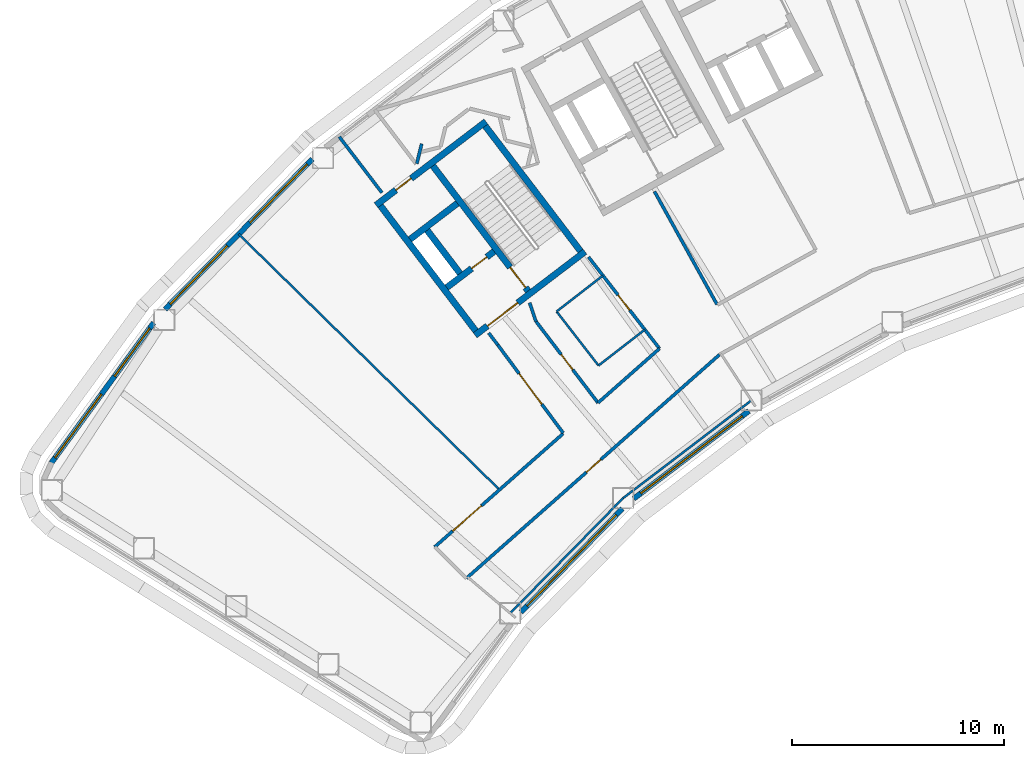
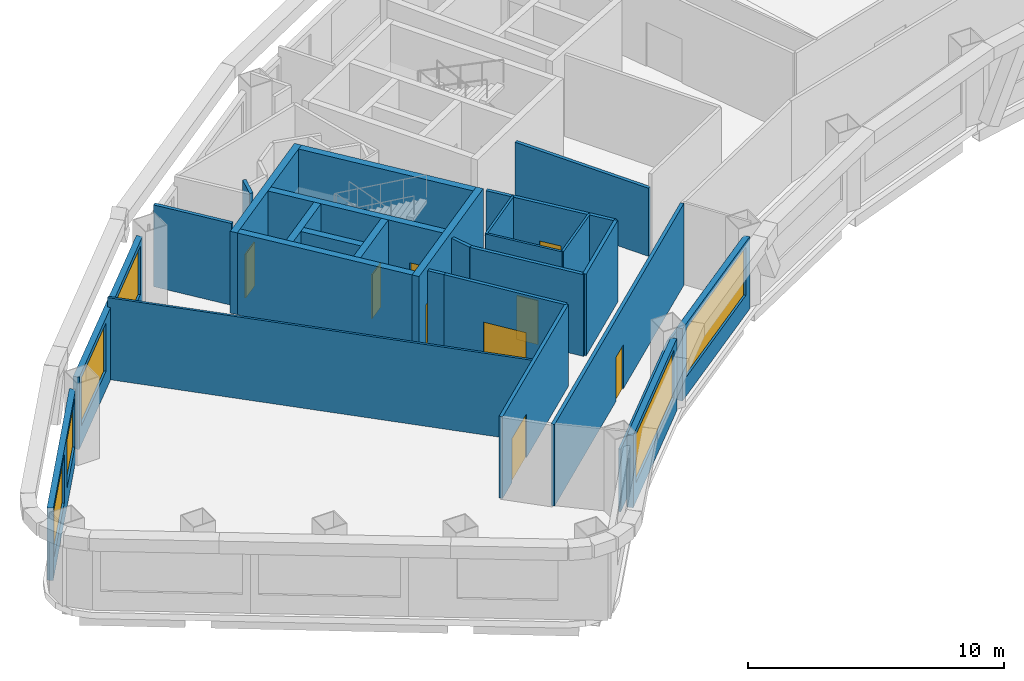
# One storey, part 3 of 11: 29 walls, 9 doors, 6 windows, 15 openings.
"""IFC4 building model written with IfcOpenShell, lengths in metres."""

from ifc_helpers import new_model, si_unit, direction, frame, frame_2d, origin, place, context, subcontext, project, spatial, rectangle, extrude, material, layer, layer_set, type_object, element, fill, save


model = new_model("IFC4")

# Units and contexts
model_context = context("Model", 3, precision=1e-05, world=origin(), true_north=direction((0.0, 1.0)))
body_context = subcontext(model_context, "Body", "Model", "MODEL_VIEW")
ifc_project = project(units=[si_unit("LENGTHUNIT", "METRE"), si_unit("AREAUNIT", "SQUARE_METRE"), si_unit("VOLUMEUNIT", "CUBIC_METRE"), si_unit("PLANEANGLEUNIT", "RADIAN"), si_unit("MASSUNIT", "GRAM", prefix="KILO")], contexts=[model_context])

# Site, building, storey
site_placement = place(None, origin())
site = spatial("IfcSite", under=ifc_project, at=site_placement, CompositionType="ELEMENT")
building_placement = place(site_placement, origin())
building = spatial("IfcBuilding", under=site, at=building_placement, Name="Tuul Gate Civic Tower", CompositionType="ELEMENT")
storey_placement = place(building_placement, frame((0.0, 0.0, 159.199951171875)))
storey = spatial("IfcBuildingStorey", under=building, at=storey_placement, Name="Level 36", CompositionType="ELEMENT", Elevation=159.199951171875)

# Wall, opening, door
ifc_material_1 = material(Name="Concrete C50/60", Category="concrete")
ifc_layer_1 = layer(ifc_material_1, 0.300048828125)
ifc_layer_set_1 = layer_set([ifc_layer_1], Name="Concrete C50/60")
wall_type_1 = type_object("IfcWallType", Name="Core wall C50/60", PredefinedType="SHEAR", material=ifc_layer_set_1)
wall_1_placement = place(storey_placement, frame((-31.19091796875, -13.669677734375, 0.0), z_axis=(0.0, 0.0, 1.0), x_axis=(-0.795606717756, -0.605813461934, 0.0)))
wall_1 = element("IfcWall", 1, at=wall_1_placement, inside=storey, type_object=wall_type_1, Name="Core wall", PredefinedType="SHEAR", context=body_context, shape_type="SweptSolid", body=[
    extrude(rectangle(XDim=6.5, YDim=0.300048828125, at=frame_2d((3.25, 0.0))), origin(), (0.0, 0.0, 1.0), 3.900146484375),
])
opening_1_placement = place(wall_1_placement, frame((3.97509765625, 0.0, 0.0)))
opening_1 = element("IfcOpeningElement", 2, at=opening_1_placement, cuts=wall_1, Name="Opening LB-W1-LOBBY-1", PredefinedType="OPENING", context=body_context, shape_type="SweptSolid", body=[
    extrude(rectangle(XDim=1.800048828125, YDim=2.10009765625, at=frame_2d((0.89990234375, 1.050048828125))), frame((0.0, 0.16015625, 0.0), z_axis=(0.0, -1.0, 0.0), x_axis=(1.0, 0.0, 0.0)), (0.0, 0.0, 1.0), 0.320068359375),
])
ifc_material_2 = material(Name="Steel", Category="steel")
door_type_1 = type_object("IfcDoorType", Name="Lobby door", OperationType="DOUBLE_DOOR_SINGLE_SWING", PredefinedType="DOOR", material=ifc_material_2)
door_1_placement = place(opening_1_placement, origin())
door_1 = element("IfcDoor", 3, at=door_1_placement, inside=storey, type_object=door_type_1, Name="Lobby door W1-LOBBY", OperationType="DOUBLE_DOOR_SINGLE_SWING", OverallHeight=2.10009765625, OverallWidth=1.800048828125, PredefinedType="DOOR", context=body_context, shape_type="SweptSolid", body=[
    extrude(rectangle(XDim=1.800048828125, YDim=2.10009765625, at=frame_2d((0.89990234375, 1.050048828125))), frame((0.0, 0.02490234375, 0.0), z_axis=(0.0, -1.0, 0.0), x_axis=(1.0, 0.0, 0.0)), (0.0, 0.0, 1.0), 0.050048828125),
])
fill(opening_1, door_1)

wall_2_placement = place(storey_placement, frame((-35.470947265625, -13.66064453125, 0.0), z_axis=(0.0, 0.0, 1.0), x_axis=(-0.795615822227, -0.605801504968, 0.0)))
wall_2 = element("IfcWall", 4, at=wall_2_placement, inside=storey, type_object=wall_type_1, Name="Core wall", PredefinedType="SHEAR", context=body_context, shape_type="SweptSolid", body=[
    extrude(rectangle(XDim=2.800048828125, YDim=0.300048828125, at=frame_2d((1.39990234375, 0.0))), origin(), (0.0, 0.0, 1.0), 3.900146484375),
])
opening_2_placement = place(wall_2_placement, frame((0.425048828125, 0.0, 0.0)))
opening_2 = element("IfcOpeningElement", 5, at=opening_2_placement, cuts=wall_2, Name="Opening FB-W1A1", PredefinedType="OPENING", context=body_context, shape_type="SweptSolid", body=[
    extrude(rectangle(XDim=0.89990234375, YDim=2.10009765625, at=frame_2d((0.449951171875, 1.050048828125))), frame((0.0, 0.16015625, 0.0), z_axis=(0.0, -1.0, 0.0), x_axis=(1.0, 0.0, 0.0)), (0.0, 0.0, 1.0), 0.320068359375),
])
ifc_material_3 = material(Name="Steel", Category="steel")
door_type_2 = type_object("IfcDoorType", Name="Store door", OperationType="NOTDEFINED", PredefinedType="DOOR", material=ifc_material_3)
door_2_placement = place(opening_2_placement, frame((0.89990234375, 0.0, 0.0), z_axis=(0.0, 0.0, 1.0), x_axis=(-1.0, 0.0, 0.0)))
door_2 = element("IfcDoor", 6, at=door_2_placement, inside=storey, type_object=door_type_2, Name="Store door W1A1", OperationType="SINGLE_SWING_RIGHT", OverallHeight=2.10009765625, OverallWidth=0.89990234375, PredefinedType="DOOR", context=body_context, shape_type="SweptSolid", body=[
    extrude(rectangle(XDim=0.89990234375, YDim=2.10009765625, at=frame_2d((0.449951171875, 1.050048828125))), frame((0.0, 0.02490234375, 0.0), z_axis=(0.0, -1.0, 0.0), x_axis=(1.0, 0.0, 0.0)), (0.0, 0.0, 1.0), 0.050048828125),
])
fill(opening_2, door_2)

# Wall
wall_3_placement = place(storey_placement, frame((-37.197509765625, -11.39306640625, 0.0), z_axis=(0.0, 0.0, 1.0), x_axis=(-0.795583820278, -0.605843531707, 0.0)))
element("IfcWall", 7, at=wall_3_placement, inside=storey, type_object=wall_type_1, Name="Core wall", PredefinedType="SHEAR", context=body_context, shape_type="SweptSolid", body=[
    extrude(rectangle(XDim=2.7998046875, YDim=0.300048828125, at=frame_2d((1.39990234375, 0.0))), origin(), (0.0, 0.0, 1.0), 3.900146484375),
])

# Wall, opening, door
wall_4_placement = place(storey_placement, frame((-35.855224609375, -7.543212890625, 0.0), z_axis=(0.0, 0.0, 1.0), x_axis=(-0.79563860527, -0.605771582202, 0.0)))
wall_4 = element("IfcWall", 8, at=wall_4_placement, inside=storey, type_object=wall_type_1, Name="Core wall", PredefinedType="SHEAR", context=body_context, shape_type="SweptSolid", body=[
    extrude(rectangle(XDim=6.5, YDim=0.300048828125, at=frame_2d((3.25, 0.0))), origin(), (0.0, 0.0, 1.0), 3.900146484375),
])
opening_3_placement = place(wall_4_placement, frame((4.425048828125, 0.0, 0.0)))
opening_3 = element("IfcOpeningElement", 9, at=opening_3_placement, cuts=wall_4, Name="Opening M-D18", PredefinedType="OPENING", context=body_context, shape_type="SweptSolid", body=[
    extrude(rectangle(XDim=0.89990234375, YDim=2.10009765625, at=frame_2d((0.449951171875, 1.050048828125))), frame((0.0, 0.16015625, 0.0), z_axis=(0.0, -1.0, 0.0), x_axis=(1.0, 0.0, 0.0)), (0.0, 0.0, 1.0), 0.320068359375),
])
ifc_material_4 = material(Name="Timber door leaf", Category="wood")
door_type_3 = type_object("IfcDoorType", Name="Door D09", OperationType="NOTDEFINED", PredefinedType="DOOR", material=ifc_material_4)
door_3_placement = place(opening_3_placement, origin())
door_3 = element("IfcDoor", 10, at=door_3_placement, inside=storey, type_object=door_type_3, Name="Door M-D18", OperationType="SINGLE_SWING_LEFT", OverallHeight=2.10009765625, OverallWidth=0.89990234375, PredefinedType="DOOR", context=body_context, shape_type="SweptSolid", body=[
    extrude(rectangle(XDim=0.89990234375, YDim=2.10009765625, at=frame_2d((0.449951171875, 1.050048828125))), frame((0.0, 0.02490234375, 0.0), z_axis=(0.0, -1.0, 0.0), x_axis=(1.0, 0.0, 0.0)), (0.0, 0.0, 1.0), 0.050048828125),
])
fill(opening_3, door_3)

# Wall
wall_5_placement = place(storey_placement, frame((-31.401123046875, -13.64111328125, 0.0), z_axis=(0.0, 0.0, 1.0), x_axis=(-0.605769822278, 0.795639945213, 0.0)))
element("IfcWall", 11, at=wall_5_placement, inside=storey, type_object=wall_type_1, Name="Core wall", PredefinedType="SHEAR", context=body_context, shape_type="SweptSolid", body=[
    extrude(rectangle(XDim=7.39990234375, YDim=0.300048828125, at=frame_2d((3.699951171875, 0.0))), origin(), (0.0, 0.0, 1.0), 3.900146484375),
])

# Wall, opening, door
wall_6_placement = place(storey_placement, frame((-33.867431640625, -15.51904296875, 0.0), z_axis=(0.0, 0.0, 1.0), x_axis=(-0.605769822278, 0.795639945213, 0.0)))
wall_6 = element("IfcWall", 12, at=wall_6_placement, inside=storey, type_object=wall_type_1, Name="Core wall", PredefinedType="SHEAR", context=body_context, shape_type="SweptSolid", body=[
    extrude(rectangle(XDim=7.39990234375, YDim=0.300048828125, at=frame_2d((3.699951171875, 0.0))), origin(), (0.0, 0.0, 1.0), 3.900146484375),
])
opening_4_placement = place(wall_6_placement, frame((0.199951171875, 0.0, 0.0)))
opening_4 = element("IfcOpeningElement", 13, at=opening_4_placement, cuts=wall_6, Name="Opening SD-ST-1", PredefinedType="OPENING", context=body_context, shape_type="SweptSolid", body=[
    extrude(rectangle(XDim=1.199951171875, YDim=2.10009765625, at=frame_2d((0.60009765625, 1.050048828125))), frame((0.0, 0.16015625, 0.0), z_axis=(0.0, -1.0, 0.0), x_axis=(1.0, 0.0, 0.0)), (0.0, 0.0, 1.0), 0.320068359375),
])
ifc_material_5 = material(Name="Steel", Category="steel")
door_type_4 = type_object("IfcDoorType", Name="Stair door", OperationType="NOTDEFINED", PredefinedType="DOOR", material=ifc_material_5)
door_4_placement = place(opening_4_placement, origin())
door_4 = element("IfcDoor", 14, at=door_4_placement, inside=storey, type_object=door_type_4, Name="Stair door ST-1", OperationType="SINGLE_SWING_LEFT", OverallHeight=2.10009765625, OverallWidth=1.199951171875, PredefinedType="DOOR", context=body_context, shape_type="SweptSolid", body=[
    extrude(rectangle(XDim=1.199951171875, YDim=2.10009765625, at=frame_2d((0.60009765625, 1.050048828125))), frame((0.0, 0.02490234375, 0.0), z_axis=(0.0, -1.0, 0.0), x_axis=(1.0, 0.0, 0.0)), (0.0, 0.0, 1.0), 0.050048828125),
])
fill(opening_4, door_4)

# Walls
wall_7_placement = place(storey_placement, frame((-37.073486328125, -14.6923828125, 0.0), z_axis=(0.0, 0.0, 1.0), x_axis=(-0.605728760074, 0.79567120673, 0.0)))
element("IfcWall", 15, at=wall_7_placement, inside=storey, type_object=wall_type_1, Name="Core wall", PredefinedType="SHEAR", context=body_context, shape_type="SweptSolid", body=[
    extrude(rectangle(XDim=2.550048828125, YDim=0.300048828125, at=frame_2d((1.27490234375, 0.0))), origin(), (0.0, 0.0, 1.0), 3.900146484375),
])
wall_8_placement = place(storey_placement, frame((-36.333984375, -17.397216796875, 0.0), z_axis=(0.0, 0.0, 1.0), x_axis=(-0.605753921168, 0.795652051458, 0.0)))
element("IfcWall", 16, at=wall_8_placement, inside=storey, type_object=wall_type_1, Name="Core wall", PredefinedType="SHEAR", context=body_context, shape_type="SweptSolid", body=[
    extrude(rectangle(XDim=7.400146484375, YDim=0.300048828125, at=frame_2d((3.7001953125, 0.0))), origin(), (0.0, 0.0, 1.0), 3.900146484375),
])
ifc_material_6 = material(Name="Gypsum board partition")
ifc_layer_2 = layer(ifc_material_6, 0.14990234375)
ifc_layer_set_2 = layer_set([ifc_layer_2], Name="Gypsum board partition")
wall_type_2 = type_object("IfcWallType", Name="Corridor wall P150", PredefinedType="PARTITIONING", material=ifc_layer_set_2)
wall_9_placement = place(storey_placement, frame((-39.109130859375, -9.5302734375, 0.0), z_axis=(0.0, 0.0, 1.0), x_axis=(0.239922856226, 0.970791956632, 0.0)))
element("IfcWall", 17, at=wall_9_placement, inside=storey, type_object=wall_type_2, Name="p039", PredefinedType="PARTITIONING", context=body_context, shape_type="SweptSolid", body=[
    extrude(rectangle(XDim=0.9677734375, YDim=0.14990234375, at=frame_2d((0.48388671875, 0.0))), origin(), (0.0, 0.0, 1.0), 3.900146484375),
])

# Wall, opening, door
wall_10_placement = place(storey_placement, frame((-33.495361328125, -16.95458984375, 0.0), z_axis=(0.0, 0.0, 1.0), x_axis=(0.60591037811, -0.795532911763, 0.0)))
wall_10 = element("IfcWall", 18, at=wall_10_placement, inside=storey, type_object=wall_type_2, Name="p041", PredefinedType="PARTITIONING", context=body_context, shape_type="SweptSolid", body=[
    extrude(rectangle(XDim=4.81787109375, YDim=0.14990234375, at=frame_2d((2.408935546875, 0.0))), origin(), (0.0, 0.0, 1.0), 3.900146484375),
])
opening_5_placement = place(wall_10_placement, frame((1.958984375, 0.0, 0.0)))
opening_5 = element("IfcOpeningElement", 19, at=opening_5_placement, cuts=wall_10, Name="Opening M-D17", PredefinedType="OPENING", context=body_context, shape_type="SweptSolid", body=[
    extrude(rectangle(XDim=0.89990234375, YDim=2.10009765625, at=frame_2d((0.449951171875, 1.050048828125))), frame((0.0, 0.0849609375, 0.0), z_axis=(0.0, -1.0, 0.0), x_axis=(1.0, 0.0, 0.0)), (0.0, 0.0, 1.0), 0.169921875),
])
door_5_placement = place(opening_5_placement, origin())
door_5 = element("IfcDoor", 20, at=door_5_placement, inside=storey, type_object=door_type_3, Name="Door M-D17", OperationType="SINGLE_SWING_RIGHT", OverallHeight=2.10009765625, OverallWidth=0.89990234375, PredefinedType="DOOR", context=body_context, shape_type="SweptSolid", body=[
    extrude(rectangle(XDim=0.89990234375, YDim=2.10009765625, at=frame_2d((0.449951171875, 1.050048828125))), frame((0.0, 0.02490234375, 0.0), z_axis=(0.0, -1.0, 0.0), x_axis=(1.0, 0.0, 0.0)), (0.0, 0.0, 1.0), 0.050048828125),
])
fill(opening_5, door_5)

# Walls
wall_11_placement = place(storey_placement, frame((-42.756103515625, -8.26025390625, 0.0), z_axis=(0.0, 0.0, 1.0), x_axis=(0.605756442532, -0.795650131861, 0.0)))
element("IfcWall", 21, at=wall_11_placement, inside=storey, type_object=wall_type_2, Name="p045", PredefinedType="PARTITIONING", context=body_context, shape_type="SweptSolid", body=[
    extrude(rectangle(XDim=3.309326171875, YDim=0.14990234375, at=frame_2d((1.65478515625, 0.0))), origin(), (0.0, 0.0, 1.0), 3.900146484375),
])
wall_12_placement = place(storey_placement, frame((-35.722412109375, -17.498291015625, 0.0), z_axis=(0.0, 0.0, 1.0), x_axis=(0.60571821205, -0.795679236622, 0.0)))
element("IfcWall", 22, at=wall_12_placement, inside=storey, type_object=wall_type_2, Name="p046", PredefinedType="PARTITIONING", context=body_context, shape_type="SweptSolid", body=[
    extrude(rectangle(XDim=0.70166015625, YDim=0.14990234375, at=frame_2d((0.350830078125, 0.0))), origin(), (0.0, 0.0, 1.0), 3.900146484375),
])

# Wall, opening, door
wall_13_placement = place(storey_placement, frame((-35.297119140625, -18.056640625, 0.0), z_axis=(0.0, 0.0, 1.0), x_axis=(0.596155340133, -0.802869111644, 0.0)))
wall_13 = element("IfcWall", 23, at=wall_13_placement, inside=storey, type_object=wall_type_2, Name="p047", PredefinedType="PARTITIONING", context=body_context, shape_type="SweptSolid", body=[
    extrude(rectangle(XDim=5.170654296875, YDim=0.14990234375, at=frame_2d((2.58544921875, 0.0))), origin(), (0.0, 0.0, 1.0), 3.900146484375),
])
opening_6_placement = place(wall_13_placement, frame((1.68505859375, 0.0, 0.0)))
opening_6 = element("IfcOpeningElement", 24, at=opening_6_placement, cuts=wall_13, Name="Opening M-D11", PredefinedType="OPENING", context=body_context, shape_type="SweptSolid", body=[
    extrude(rectangle(XDim=1.800048828125, YDim=2.10009765625, at=frame_2d((0.89990234375, 1.050048828125))), frame((0.0, 0.0849609375, 0.0), z_axis=(0.0, -1.0, 0.0), x_axis=(1.0, 0.0, 0.0)), (0.0, 0.0, 1.0), 0.169921875),
])
ifc_material_7 = material(Name="Timber door leaf, double", Category="wood")
door_type_5 = type_object("IfcDoorType", Name="Door D18", OperationType="DOUBLE_DOOR_SINGLE_SWING", PredefinedType="DOOR", material=ifc_material_7)
door_6_placement = place(opening_6_placement, frame((1.800048828125, 0.0, 0.0), z_axis=(0.0, 0.0, 1.0), x_axis=(-1.0, 0.0, 0.0)))
door_6 = element("IfcDoor", 25, at=door_6_placement, inside=storey, type_object=door_type_5, Name="Door M-D11", OperationType="DOUBLE_DOOR_SINGLE_SWING", OverallHeight=2.10009765625, OverallWidth=1.800048828125, PredefinedType="DOOR", context=body_context, shape_type="SweptSolid", body=[
    extrude(rectangle(XDim=1.800048828125, YDim=2.10009765625, at=frame_2d((0.900146484375, 1.050048828125))), frame((0.0, 0.02490234375, 0.0), z_axis=(0.0, -1.0, 0.0), x_axis=(1.0, 0.0, 0.0)), (0.0, 0.0, 1.0), 0.050048828125),
])
fill(opening_6, door_6)

wall_14_placement = place(storey_placement, frame((-38.264892578125, -27.57275390625, 0.0), z_axis=(0.0, 0.0, 1.0), x_axis=(0.749776017467, 0.661691713437, 0.0)))
wall_14 = element("IfcWall", 26, at=wall_14_placement, inside=storey, type_object=wall_type_2, Name="p048", PredefinedType="PARTITIONING", context=body_context, shape_type="SweptSolid", body=[
    extrude(rectangle(XDim=8.065673828125, YDim=0.14990234375, at=frame_2d((4.03271484375, 0.0))), origin(), (0.0, 0.0, 1.0), 3.900146484375),
])
opening_7_placement = place(wall_14_placement, frame((1.134521484375, 0.0, 0.0)))
opening_7 = element("IfcOpeningElement", 27, at=opening_7_placement, cuts=wall_14, Name="Opening M-D12", PredefinedType="OPENING", context=body_context, shape_type="SweptSolid", body=[
    extrude(rectangle(XDim=1.800048828125, YDim=2.10009765625, at=frame_2d((0.89990234375, 1.050048828125))), frame((0.0, 0.0849609375, 0.0), z_axis=(0.0, -1.0, 0.0), x_axis=(1.0, 0.0, 0.0)), (0.0, 0.0, 1.0), 0.169921875),
])
door_7_placement = place(opening_7_placement, origin())
door_7 = element("IfcDoor", 28, at=door_7_placement, inside=storey, type_object=door_type_5, Name="Door M-D12", OperationType="DOUBLE_DOOR_SINGLE_SWING", OverallHeight=2.10009765625, OverallWidth=1.800048828125, PredefinedType="DOOR", context=body_context, shape_type="SweptSolid", body=[
    extrude(rectangle(XDim=1.800048828125, YDim=2.10009765625, at=frame_2d((0.89990234375, 1.050048828125))), frame((0.0, 0.02490234375, 0.0), z_axis=(0.0, -1.0, 0.0), x_axis=(1.0, 0.0, 0.0)), (0.0, 0.0, 1.0), 0.050048828125),
])
fill(opening_7, door_7)

# Wall
wall_15_placement = place(storey_placement, frame((-30.577880859375, -20.78857421875, 0.0), z_axis=(0.0, 0.0, 1.0), x_axis=(0.749775156875, 0.661692688589, 0.0)))
element("IfcWall", 29, at=wall_15_placement, inside=storey, type_object=wall_type_2, Name="p049", PredefinedType="PARTITIONING", context=body_context, shape_type="SweptSolid", body=[
    extrude(rectangle(XDim=3.86376953125, YDim=0.14990234375, at=frame_2d((1.931884765625, 0.0))), origin(), (0.0, 0.0, 1.0), 3.900146484375),
])

# Wall, opening, door
wall_16_placement = place(storey_placement, frame((-36.7705078125, -29.048095703125, 0.0), z_axis=(0.0, 0.0, 1.0), x_axis=(0.749290803253, 0.662241113312, 0.0)))
wall_16 = element("IfcWall", 30, at=wall_16_placement, inside=storey, type_object=wall_type_2, Name="p052", PredefinedType="PARTITIONING", context=body_context, shape_type="SweptSolid", body=[
    extrude(rectangle(XDim=15.896484375, YDim=0.14990234375, at=frame_2d((7.9482421875, 0.0))), origin(), (0.0, 0.0, 1.0), 3.900146484375),
])
opening_8_placement = place(wall_16_placement, frame((7.53857421875, 0.0, 0.0)))
opening_8 = element("IfcOpeningElement", 31, at=opening_8_placement, cuts=wall_16, Name="Opening M-D14", PredefinedType="OPENING", context=body_context, shape_type="SweptSolid", body=[
    extrude(rectangle(XDim=0.89990234375, YDim=2.10009765625, at=frame_2d((0.449951171875, 1.050048828125))), frame((0.0, 0.0849609375, 0.0), z_axis=(0.0, -1.0, 0.0), x_axis=(1.0, 0.0, 0.0)), (0.0, 0.0, 1.0), 0.169921875),
])
door_8_placement = place(opening_8_placement, frame((0.89990234375, 0.0, 0.0), z_axis=(0.0, 0.0, 1.0), x_axis=(-1.0, 0.0, 0.0)))
door_8 = element("IfcDoor", 32, at=door_8_placement, inside=storey, type_object=door_type_3, Name="Door M-D14", OperationType="SINGLE_SWING_LEFT", OverallHeight=2.10009765625, OverallWidth=0.89990234375, PredefinedType="DOOR", context=body_context, shape_type="SweptSolid", body=[
    extrude(rectangle(XDim=0.89990234375, YDim=2.10009765625, at=frame_2d((0.449951171875, 1.050048828125))), frame((0.0, 0.02490234375, 0.0), z_axis=(0.0, -1.0, 0.0), x_axis=(1.0, 0.0, 0.0)), (0.0, 0.0, 1.0), 0.050048828125),
])
fill(opening_8, door_8)

wall_17_placement = place(storey_placement, frame((-31.02294921875, -13.920166015625, 0.0), z_axis=(0.0, 0.0, 1.0), x_axis=(0.612619894475, -0.790377672315, 0.0)))
wall_17 = element("IfcWall", 33, at=wall_17_placement, inside=storey, type_object=wall_type_2, Name="p059", PredefinedType="PARTITIONING", context=body_context, shape_type="SweptSolid", body=[
    extrude(rectangle(XDim=5.455322265625, YDim=0.14990234375, at=frame_2d((2.7275390625, 0.0))), origin(), (0.0, 0.0, 1.0), 3.900146484375),
])
opening_9_placement = place(wall_17_placement, frame((2.267822265625, 0.0, 0.0)))
opening_9 = element("IfcOpeningElement", 34, at=opening_9_placement, cuts=wall_17, Name="Opening M-D15", PredefinedType="OPENING", context=body_context, shape_type="SweptSolid", body=[
    extrude(rectangle(XDim=0.89990234375, YDim=2.10009765625, at=frame_2d((0.449951171875, 1.050048828125))), frame((0.0, 0.0849609375, 0.0), z_axis=(0.0, -1.0, 0.0), x_axis=(1.0, 0.0, 0.0)), (0.0, 0.0, 1.0), 0.169921875),
])
door_9_placement = place(opening_9_placement, frame((0.89990234375, 0.0, 0.0), z_axis=(0.0, 0.0, 1.0), x_axis=(-1.0, 0.0, 0.0)))
door_9 = element("IfcDoor", 35, at=door_9_placement, inside=storey, type_object=door_type_3, Name="Door M-D15", OperationType="SINGLE_SWING_LEFT", OverallHeight=2.10009765625, OverallWidth=0.89990234375, PredefinedType="DOOR", context=body_context, shape_type="SweptSolid", body=[
    extrude(rectangle(XDim=0.89990234375, YDim=2.10009765625, at=frame_2d((0.449951171875, 1.050048828125))), frame((0.0, 0.02490234375, 0.0), z_axis=(0.0, -1.0, 0.0), x_axis=(1.0, 0.0, 0.0)), (0.0, 0.0, 1.0), 0.050048828125),
])
fill(opening_9, door_9)

# Walls
wall_18_placement = place(storey_placement, frame((-33.7978515625, -16.076904296875, 0.0), z_axis=(0.0, 0.0, 1.0), x_axis=(0.324653621534, -0.945832979984, 0.0)))
element("IfcWall", 36, at=wall_18_placement, inside=storey, type_object=wall_type_2, Name="p066", PredefinedType="PARTITIONING", context=body_context, shape_type="SweptSolid", body=[
    extrude(rectangle(XDim=0.9287109375, YDim=0.14990234375, at=frame_2d((0.46435546875, 0.0))), origin(), (0.0, 0.0, 1.0), 3.900146484375),
])
ifc_material_8 = material(Name="Gypsum board partition")
ifc_layer_3 = layer(ifc_material_8, 0.14990234375)
ifc_layer_set_3 = layer_set([ifc_layer_3], Name="Gypsum board partition")
wall_type_3 = type_object("IfcWallType", Name="Corridor wall P150 3250 HIGH", PredefinedType="PARTITIONING", material=ifc_layer_set_3)
wall_19_placement = place(storey_placement, frame((-27.91650390625, -10.835205078125, 0.0), z_axis=(0.0, 0.0, 1.0), x_axis=(0.484211103294, -0.874951202894, 0.0)))
element("IfcWall", 37, at=wall_19_placement, inside=storey, type_object=wall_type_3, Name="p030", PredefinedType="PARTITIONING", context=body_context, shape_type="SweptSolid", body=[
    extrude(rectangle(XDim=6.083251953125, YDim=0.14990234375, at=frame_2d((3.04150390625, 0.0))), origin(), (0.0, 0.0, 1.0), 3.25),
])

# Wall, openings, windows
ifc_material_9 = material(Name="Precast concrete C40/50", Category="concrete")
ifc_layer_4 = layer(ifc_material_9, 0.25)
ifc_layer_set_4 = layer_set([ifc_layer_4], Name="Precast concrete C40/50")
wall_type_4 = type_object("IfcWallType", Name="External wall", PredefinedType="STANDARD", material=ifc_layer_set_4)
wall_20_placement = place(storey_placement, frame((-44.02392578125, -9.3056640625, 0.0), z_axis=(0.0, 0.0, 1.0), x_axis=(-0.700052449461, -0.714091428323, 0.0)))
wall_20 = element("IfcWall", 38, at=wall_20_placement, inside=storey, type_object=wall_type_4, Name="External wall", PredefinedType="STANDARD", context=body_context, shape_type="SweptSolid", body=[
    extrude(rectangle(XDim=9.912353515625, YDim=0.25, at=frame_2d((4.9560546875, 0.0))), origin(), (0.0, 0.0, 1.0), 3.449951171875),
])
opening_10_placement = place(wall_20_placement, frame((0.344482421875, 0.0, 0.89990234375)))
opening_10 = element("IfcOpeningElement", 39, at=opening_10_placement, cuts=wall_20, Name="Opening W22", PredefinedType="OPENING", context=body_context, shape_type="SweptSolid", body=[
    extrude(rectangle(XDim=3.85009765625, YDim=2.300048828125, at=frame_2d((1.925048828125, 1.14990234375))), frame((0.0, 0.135009765625, 0.0), z_axis=(0.0, -1.0, 0.0), x_axis=(1.0, 0.0, 0.0)), (0.0, 0.0, 1.0), 0.27001953125),
])
opening_11_placement = place(wall_20_placement, frame((5.715576171875, 0.0, 0.89990234375)))
opening_11 = element("IfcOpeningElement", 40, at=opening_11_placement, cuts=wall_20, Name="Opening W22", PredefinedType="OPENING", context=body_context, shape_type="SweptSolid", body=[
    extrude(rectangle(XDim=3.85009765625, YDim=2.300048828125, at=frame_2d((1.925048828125, 1.14990234375))), frame((0.0, 0.135009765625, 0.0), z_axis=(0.0, -1.0, 0.0), x_axis=(1.0, 0.0, 0.0)), (0.0, 0.0, 1.0), 0.27001953125),
])
ifc_material_10 = material(Name="Glass", Category="glass")
window_type_1 = type_object("IfcWindowType", Name="Window W22 3850 x 2300", PartitioningType="SINGLE_PANEL", PredefinedType="WINDOW", material=ifc_material_10)
window_1_placement = place(opening_10_placement, origin())
window_1 = element("IfcWindow", 41, at=window_1_placement, inside=storey, type_object=window_type_1, Name="Window", OverallHeight=2.300048828125, OverallWidth=3.85009765625, PartitioningType="SINGLE_PANEL", PredefinedType="WINDOW", context=body_context, shape_type="SweptSolid", body=[
    extrude(rectangle(XDim=3.85009765625, YDim=2.300048828125, at=frame_2d((1.925048828125, 1.14990234375))), frame((0.0, 0.030029296875, 0.0), z_axis=(0.0, -1.0, 0.0), x_axis=(1.0, 0.0, 0.0)), (0.0, 0.0, 1.0), 0.06005859375),
])
fill(opening_10, window_1)
window_2_placement = place(opening_11_placement, origin())
window_2 = element("IfcWindow", 42, at=window_2_placement, inside=storey, type_object=window_type_1, Name="Window", OverallHeight=2.300048828125, OverallWidth=3.85009765625, PartitioningType="SINGLE_PANEL", PredefinedType="WINDOW", context=body_context, shape_type="SweptSolid", body=[
    extrude(rectangle(XDim=3.85009765625, YDim=2.300048828125, at=frame_2d((1.925048828125, 1.14990234375))), frame((0.0, 0.030029296875, 0.0), z_axis=(0.0, -1.0, 0.0), x_axis=(1.0, 0.0, 0.0)), (0.0, 0.0, 1.0), 0.06005859375),
])
fill(opening_11, window_2)

wall_21_placement = place(storey_placement, frame((-51.498046875, -17.017578125, 0.0), z_axis=(0.0, 0.0, 1.0), x_axis=(-0.589745261817, -0.807589330145, 0.0)))
wall_21 = element("IfcWall", 43, at=wall_21_placement, inside=storey, type_object=wall_type_4, Name="External wall", PredefinedType="STANDARD", context=body_context, shape_type="SweptSolid", body=[
    extrude(rectangle(XDim=8.167724609375, YDim=0.25, at=frame_2d((4.083984375, 0.0))), origin(), (0.0, 0.0, 1.0), 3.449951171875),
])
opening_12_placement = place(wall_21_placement, frame((0.315185546875, 0.0, 0.89990234375)))
opening_12 = element("IfcOpeningElement", 44, at=opening_12_placement, cuts=wall_21, Name="Opening W23", PredefinedType="OPENING", context=body_context, shape_type="SweptSolid", body=[
    extrude(rectangle(XDim=2.800048828125, YDim=2.300048828125, at=frame_2d((1.39990234375, 1.14990234375))), frame((0.0, 0.135009765625, 0.0), z_axis=(0.0, -1.0, 0.0), x_axis=(1.0, 0.0, 0.0)), (0.0, 0.0, 1.0), 0.27001953125),
])
opening_13_placement = place(wall_21_placement, frame((4.1669921875, 0.0, 0.89990234375)))
opening_13 = element("IfcOpeningElement", 45, at=opening_13_placement, cuts=wall_21, Name="Opening W21", PredefinedType="OPENING", context=body_context, shape_type="SweptSolid", body=[
    extrude(rectangle(XDim=3.699951171875, YDim=2.300048828125, at=frame_2d((1.85009765625, 1.14990234375))), frame((0.0, 0.135009765625, 0.0), z_axis=(0.0, -1.0, 0.0), x_axis=(1.0, 0.0, 0.0)), (0.0, 0.0, 1.0), 0.27001953125),
])
ifc_material_11 = material(Name="Glass", Category="glass")
window_type_2 = type_object("IfcWindowType", Name="Window W21 3700 x 2300", PartitioningType="SINGLE_PANEL", PredefinedType="WINDOW", material=ifc_material_11)
window_3_placement = place(opening_13_placement, origin())
window_3 = element("IfcWindow", 46, at=window_3_placement, inside=storey, type_object=window_type_2, Name="Window", OverallHeight=2.300048828125, OverallWidth=3.699951171875, PartitioningType="SINGLE_PANEL", PredefinedType="WINDOW", context=body_context, shape_type="SweptSolid", body=[
    extrude(rectangle(XDim=3.699951171875, YDim=2.300048828125, at=frame_2d((1.85009765625, 1.14990234375))), frame((0.0, 0.030029296875, 0.0), z_axis=(0.0, -1.0, 0.0), x_axis=(1.0, 0.0, 0.0)), (0.0, 0.0, 1.0), 0.06005859375),
])
fill(opening_13, window_3)
ifc_material_12 = material(Name="Glass", Category="glass")
window_type_3 = type_object("IfcWindowType", Name="Window W23 2800 x 2300", PartitioningType="SINGLE_PANEL", PredefinedType="WINDOW", material=ifc_material_12)
window_4_placement = place(opening_12_placement, origin())
window_4 = element("IfcWindow", 47, at=window_4_placement, inside=storey, type_object=window_type_3, Name="Window", OverallHeight=2.300048828125, OverallWidth=2.800048828125, PartitioningType="SINGLE_PANEL", PredefinedType="WINDOW", context=body_context, shape_type="SweptSolid", body=[
    extrude(rectangle(XDim=2.800048828125, YDim=2.300048828125, at=frame_2d((1.39990234375, 1.14990234375))), frame((0.0, 0.030029296875, 0.0), z_axis=(0.0, -1.0, 0.0), x_axis=(1.0, 0.0, 0.0)), (0.0, 0.0, 1.0), 0.06005859375),
])
fill(opening_12, window_4)

# Wall, opening, window
wall_22_placement = place(storey_placement, frame((-34.20703125, -30.647216796875, 0.0), z_axis=(0.0, 0.0, 1.0), x_axis=(0.700046388208, 0.714097370361, 0.0)))
wall_22 = element("IfcWall", 48, at=wall_22_placement, inside=storey, type_object=wall_type_4, Name="External wall", PredefinedType="STANDARD", context=body_context, shape_type="SweptSolid", body=[
    extrude(rectangle(XDim=6.82861328125, YDim=0.25, at=frame_2d((3.414306640625, 0.0))), origin(), (0.0, 0.0, 1.0), 3.449951171875),
])
opening_14_placement = place(wall_22_placement, frame((0.4130859375, 0.0, 0.89990234375)))
opening_14 = element("IfcOpeningElement", 49, at=opening_14_placement, cuts=wall_22, Name="Opening W26", PredefinedType="OPENING", context=body_context, shape_type="SweptSolid", body=[
    extrude(rectangle(XDim=6.0, YDim=2.300048828125, at=frame_2d((3.0, 1.14990234375))), frame((0.0, 0.135009765625, 0.0), z_axis=(0.0, -1.0, 0.0), x_axis=(1.0, 0.0, 0.0)), (0.0, 0.0, 1.0), 0.27001953125),
])
ifc_material_13 = material(Name="Glass", Category="glass")
window_type_4 = type_object("IfcWindowType", Name="Window W26 6000 x 2300", PartitioningType="SINGLE_PANEL", PredefinedType="WINDOW", material=ifc_material_13)
window_5_placement = place(opening_14_placement, origin())
window_5 = element("IfcWindow", 50, at=window_5_placement, inside=storey, type_object=window_type_4, Name="Window", OverallHeight=2.300048828125, OverallWidth=6.0, PartitioningType="SINGLE_PANEL", PredefinedType="WINDOW", context=body_context, shape_type="SweptSolid", body=[
    extrude(rectangle(XDim=6.0, YDim=2.300048828125, at=frame_2d((3.0, 1.14990234375))), frame((0.0, 0.030029296875, 0.0), z_axis=(0.0, -1.0, 0.0), x_axis=(1.0, 0.0, 0.0)), (0.0, 0.0, 1.0), 0.06005859375),
])
fill(opening_14, window_5)

wall_23_placement = place(storey_placement, frame((-28.89306640625, -25.2998046875, 0.0), z_axis=(0.0, 0.0, 1.0), x_axis=(0.795597025415, 0.605826190546, 0.0)))
wall_23 = element("IfcWall", 51, at=wall_23_placement, inside=storey, type_object=wall_type_4, Name="External wall", PredefinedType="STANDARD", context=body_context, shape_type="SweptSolid", body=[
    extrude(rectangle(XDim=6.813232421875, YDim=0.25, at=frame_2d((3.40673828125, 0.0))), origin(), (0.0, 0.0, 1.0), 3.449951171875),
])
opening_15_placement = place(wall_23_placement, frame((0.41552734375, 0.0, 0.89990234375)))
opening_15 = element("IfcOpeningElement", 52, at=opening_15_placement, cuts=wall_23, Name="Opening W26", PredefinedType="OPENING", context=body_context, shape_type="SweptSolid", body=[
    extrude(rectangle(XDim=6.0, YDim=2.300048828125, at=frame_2d((3.0, 1.14990234375))), frame((0.0, 0.135009765625, 0.0), z_axis=(0.0, -1.0, 0.0), x_axis=(1.0, 0.0, 0.0)), (0.0, 0.0, 1.0), 0.27001953125),
])
window_6_placement = place(opening_15_placement, origin())
window_6 = element("IfcWindow", 53, at=window_6_placement, inside=storey, type_object=window_type_4, Name="Window", OverallHeight=2.300048828125, OverallWidth=6.0, PartitioningType="SINGLE_PANEL", PredefinedType="WINDOW", context=body_context, shape_type="SweptSolid", body=[
    extrude(rectangle(XDim=6.0, YDim=2.300048828125, at=frame_2d((3.0, 1.14990234375))), frame((0.0, 0.030029296875, 0.0), z_axis=(0.0, -1.0, 0.0), x_axis=(1.0, 0.0, 0.0)), (0.0, 0.0, 1.0), 0.06005859375),
])
fill(opening_15, window_6)

# Walls
ifc_material_14 = material(Name="Gypsum board partition")
ifc_layer_5 = layer(ifc_material_14, 0.10009765625)
ifc_layer_set_5 = layer_set([ifc_layer_5], Name="Gypsum board partition")
wall_type_5 = type_object("IfcWallType", Name="Partition P100", PredefinedType="PARTITIONING", material=ifc_layer_set_5)
wall_24_placement = place(storey_placement, frame((-47.49658203125, -12.8408203125, 0.0), z_axis=(0.0, 0.0, 1.0), x_axis=(0.714133501001, -0.700009530469, 0.0)))
element("IfcWall", 54, at=wall_24_placement, inside=storey, type_object=wall_type_5, Name="p044", PredefinedType="PARTITIONING", context=body_context, shape_type="SweptSolid", body=[
    extrude(rectangle(XDim=17.19921875, YDim=0.10009765625, at=frame_2d((8.599609375, 0.0))), origin(), (0.0, 0.0, 1.0), 3.900146484375),
])
wall_25_placement = place(storey_placement, frame((-30.552978515625, -19.031494140625, 0.0), z_axis=(0.0, 0.0, 1.0), x_axis=(0.790398990067, 0.612592390175, 0.0)))
element("IfcWall", 55, at=wall_25_placement, inside=storey, type_object=wall_type_5, Name="p060", PredefinedType="PARTITIONING", context=body_context, shape_type="SweptSolid", body=[
    extrude(rectangle(XDim=2.759765625, YDim=0.10009765625, at=frame_2d((1.3798828125, 0.0))), origin(), (0.0, 0.0, 1.0), 3.900146484375),
])
wall_26_placement = place(storey_placement, frame((-32.525634765625, -16.486572265625, 0.0), z_axis=(0.0, 0.0, 1.0), x_axis=(0.612637981215, -0.790363652993, 0.0)))
element("IfcWall", 56, at=wall_26_placement, inside=storey, type_object=wall_type_5, Name="p061", PredefinedType="PARTITIONING", context=body_context, shape_type="SweptSolid", body=[
    extrude(rectangle(XDim=3.219970703125, YDim=0.10009765625, at=frame_2d((1.60986328125, 0.0))), origin(), (0.0, 0.0, 1.0), 3.900146484375),
])
wall_27_placement = place(storey_placement, frame((-32.525634765625, -16.486572265625, 0.0), z_axis=(0.0, 0.0, 1.0), x_axis=(0.790356158314, 0.61264764997, 0.0)))
element("IfcWall", 57, at=wall_27_placement, inside=storey, type_object=wall_type_5, Name="p062", PredefinedType="PARTITIONING", context=body_context, shape_type="SweptSolid", body=[
    extrude(rectangle(XDim=2.760009765625, YDim=0.10009765625, at=frame_2d((1.3798828125, 0.0))), origin(), (0.0, 0.0, 1.0), 3.900146484375),
])
ifc_material_15 = material(Name="Gypsum board partition")
ifc_layer_6 = layer(ifc_material_15, 0.10009765625)
ifc_layer_set_6 = layer_set([ifc_layer_6], Name="Gypsum board partition")
wall_type_6 = type_object("IfcWallType", Name="Partition P100 3000 HIGH", PredefinedType="PARTITIONING", material=ifc_layer_set_6)
wall_28_placement = place(storey_placement, frame((-23.352783203125, -20.672119140625, 0.0), z_axis=(0.0, 0.0, 1.0), x_axis=(-0.795567531379, -0.605864921427, 0.0)))
element("IfcWall", 58, at=wall_28_placement, inside=storey, type_object=wall_type_6, Name="p068", PredefinedType="PARTITIONING", context=body_context, shape_type="SweptSolid", body=[
    extrude(rectangle(XDim=7.591796875, YDim=0.10009765625, at=frame_2d((3.7958984375, 0.0))), origin(), (0.0, 0.0, 1.0), 3.0),
])
wall_29_placement = place(storey_placement, frame((-29.392578125, -25.271728515625, 0.0), z_axis=(0.0, 0.0, 1.0), x_axis=(-0.700012568476, -0.714130523066, 0.0)))
element("IfcWall", 59, at=wall_29_placement, inside=storey, type_object=wall_type_6, Name="p069", PredefinedType="PARTITIONING", context=body_context, shape_type="SweptSolid", body=[
    extrude(rectangle(XDim=7.591552734375, YDim=0.10009765625, at=frame_2d((3.7958984375, 0.0))), origin(), (0.0, 0.0, 1.0), 3.0),
])

save(model, "model.ifc")
